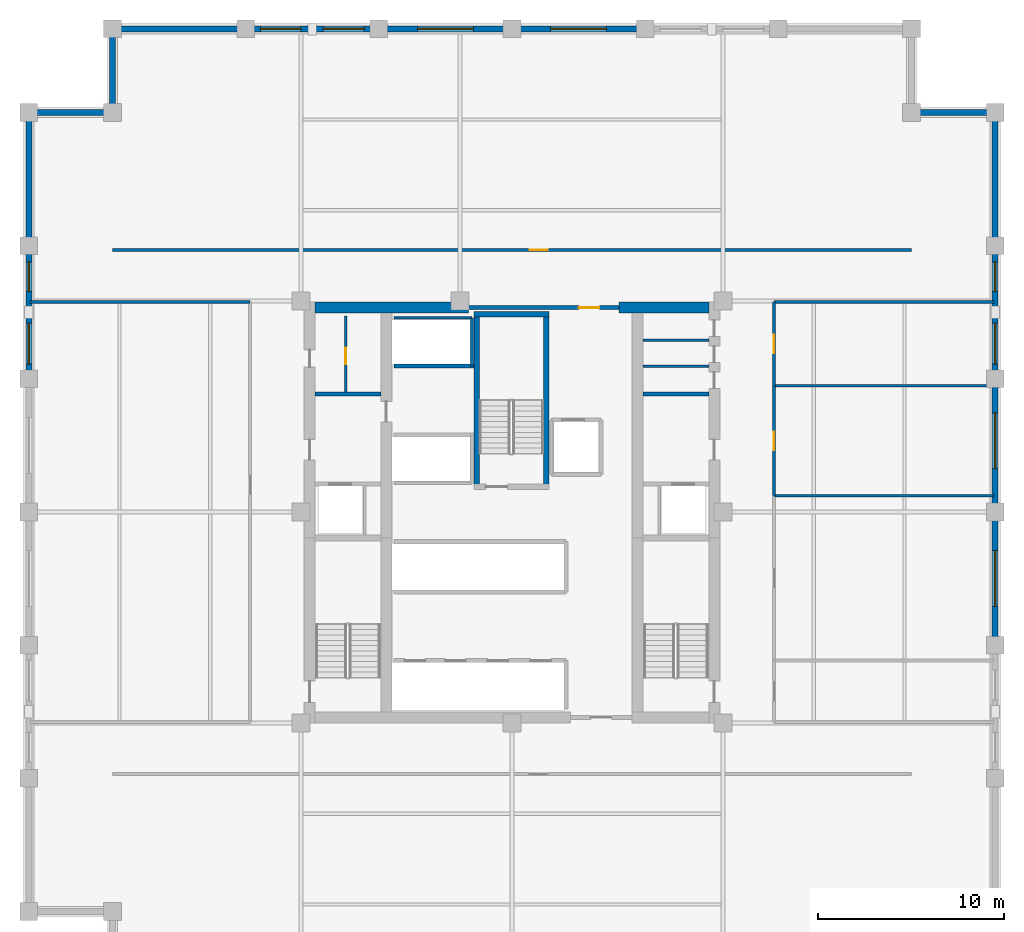
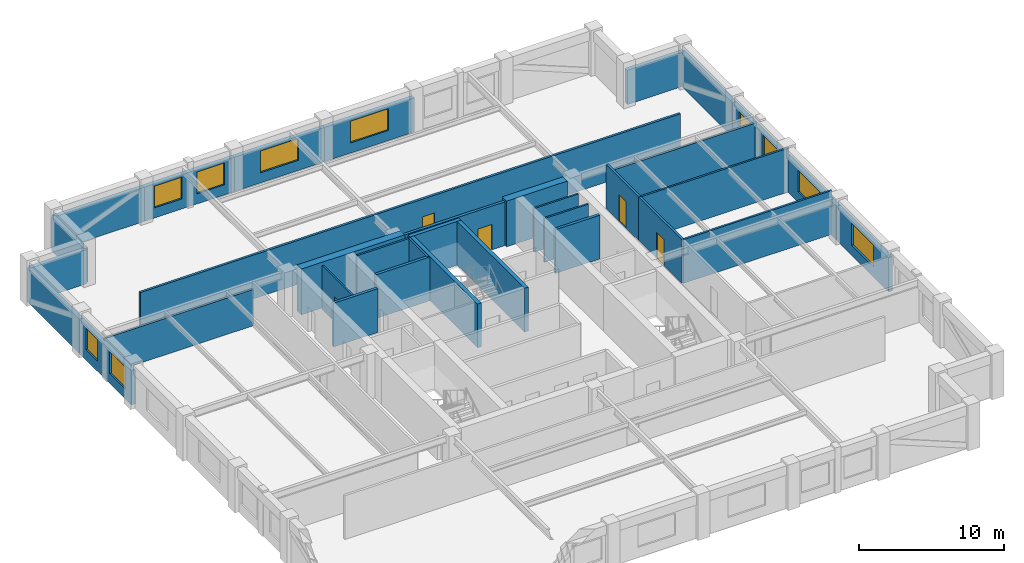
# One storey, part 4 of 6: 34 walls, 10 windows, 5 doors, 15 openings.
"""IFC4 building model written with IfcOpenShell, lengths in metres."""

from ifc_helpers import new_model, si_unit, direction, frame, frame_2d, origin, place, context, subcontext, project, spatial, rectangle, extrude, material, layer, layer_set, type_object, element, fill, save


model = new_model("IFC4")

# Units and contexts
model_context = context("Model", 3, precision=1e-05, world=origin(), true_north=direction((0.0, 1.0)))
body_context = subcontext(model_context, "Body", "Model", "MODEL_VIEW")
ifc_project = project(units=[si_unit("LENGTHUNIT", "METRE"), si_unit("AREAUNIT", "SQUARE_METRE"), si_unit("VOLUMEUNIT", "CUBIC_METRE"), si_unit("PLANEANGLEUNIT", "RADIAN"), si_unit("MASSUNIT", "GRAM", prefix="KILO")], contexts=[model_context])

# Site, building, storey
site_placement = place(None, origin())
site = spatial("IfcSite", under=ifc_project, at=site_placement, CompositionType="ELEMENT")
building_placement = place(site_placement, origin())
building = spatial("IfcBuilding", under=site, at=building_placement, Name="Nhamokura Convention Tower", CompositionType="ELEMENT")
storey_placement = place(building_placement, frame((0.0, 0.0, 152.949951171875)))
storey = spatial("IfcBuildingStorey", under=building, at=storey_placement, Name="L37", CompositionType="ELEMENT", Elevation=152.949951171875)

# Wall, opening, door
ifc_material_1 = material(Name="Moisture-resistant tile-backer partition", Category="masonry")
ifc_layer_1 = layer(ifc_material_1, 0.139892578125)
ifc_layer_set_1 = layer_set([ifc_layer_1], Name="BathroomWetWall_140")
wall_type_1 = type_object("IfcWallType", Name="BathroomWetWall_140", PredefinedType="STANDARD", material=ifc_layer_set_1)
wall_1_placement = place(storey_placement, frame((23.050048828125, 38.449951171875, 0.0), z_axis=(0.0, 0.0, 1.0), x_axis=(0.0, 1.0, 0.0)))
wall_1 = element("IfcWall", 1, at=wall_1_placement, inside=storey, type_object=wall_type_1, Name="L37 Wall INT-L37-CWNWV", PredefinedType="STANDARD", context=body_context, shape_type="SweptSolid", body=[
    extrude(rectangle(XDim=4.10009765625, YDim=0.139892578125, at=frame_2d((2.050048828125, 0.0))), origin(), (0.0, 0.0, 1.0), 3.68505859375),
])
opening_1_placement = place(wall_1_placement, frame((1.5, 0.0, 0.0)))
opening_1 = element("IfcOpeningElement", 2, at=opening_1_placement, cuts=wall_1, Name="Opening D-11", PredefinedType="OPENING", context=body_context, shape_type="SweptSolid", body=[
    extrude(rectangle(XDim=0.8798828125, YDim=2.10009765625, at=frame_2d((0.43994140625, 1.050048828125))), frame((0.0, 0.079833984375, 0.0), z_axis=(0.0, -1.0, 0.0), x_axis=(1.0, 0.0, 0.0)), (0.0, 0.0, 1.0), 0.159912109375),
])
ifc_material_2 = material(Name="Solid oak hardwood", Category="wood")
door_type_1 = type_object("IfcDoorType", Name="BathroomDoor_880", OperationType="NOTDEFINED", PredefinedType="DOOR", material=ifc_material_2)
door_1_placement = place(opening_1_placement, origin())
door_1 = element("IfcDoor", 3, at=door_1_placement, inside=storey, type_object=door_type_1, Name="L37 Inner Store Door", OperationType="SINGLE_SWING_LEFT", OverallHeight=2.10009765625, OverallWidth=0.8798828125, PredefinedType="DOOR", context=body_context, shape_type="SweptSolid", body=[
    extrude(rectangle(XDim=0.8798828125, YDim=2.10009765625, at=frame_2d((0.43994140625, 1.050048828125))), frame((0.0, 0.02490234375, 0.0), z_axis=(0.0, -1.0, 0.0), x_axis=(1.0, 0.0, 0.0)), (0.0, 0.0, 1.0), 0.050048828125),
])
fill(opening_1, door_1)

# Walls
for number, where, z_axis, x_axis, name in (
    (4, (39.06005859375, 39.85009765625, 0.0), (0.0, 0.0, 1.0), (1.0, 0.0, 0.0), "L37 Wall INT-L37-CWNE1"),
    (5, (39.06005859375, 41.25, 0.0), (0.0, 0.0, 1.0), (1.0, 0.0, 0.0), "L37 Wall INT-L37-CWNE2"),
):
    element("IfcWall", number, at=place(storey_placement, frame(where, z_axis=z_axis, x_axis=x_axis)), inside=storey, type_object=wall_type_1, Name=name, PredefinedType="STANDARD", context=body_context, shape_type="SweptSolid", body=[
        extrude(rectangle(XDim=3.530029296875, YDim=0.139892578125, at=frame_2d((1.76513671875, 0.0))), origin(), (0.0, 0.0, 1.0), 3.68505859375),
    ])
ifc_material_3 = material(Name="Bronze-pigmented precast concrete C45/55", Category="concrete")
ifc_layer_2 = layer(ifc_material_3, 0.320068359375)
ifc_layer_set_2 = layer_set([ifc_layer_2], Name="BronzePrecastSpandrel_320")
wall_type_2 = type_object("IfcWallType", Name="BronzePrecastSpandrel_320", PredefinedType="USERDEFINED", material=ifc_layer_set_2)
wall_2_placement = place(storey_placement, frame((10.5, 58.0, 0.0), z_axis=(0.0, 0.0, 1.0), x_axis=(1.0, 0.0, 0.0)))
element("IfcWall", 6, at=wall_2_placement, inside=storey, type_object=wall_type_2, Name="L37 Braced-Bay Precast Wall NORTH 0", ObjectType="SPANDREL_WALL", PredefinedType="USERDEFINED", context=body_context, shape_type="SweptSolid", body=[
    extrude(rectangle(XDim=7.166748046875, YDim=0.320068359375, at=frame_2d((3.58349609375, 0.0))), origin(), (0.0, 0.0, 1.0), 2.885009765625),
])

# Wall, openings, windows
wall_3_placement = place(storey_placement, frame((17.666748046875, 58.0, 0.0), z_axis=(0.0, 0.0, 1.0), x_axis=(1.0, 0.0, 0.0)))
wall_3 = element("IfcWall", 7, at=wall_3_placement, inside=storey, type_object=wall_type_2, Name="L37 Masonry-Frame Wall NORTH 1", ObjectType="SPANDREL_WALL", PredefinedType="USERDEFINED", context=body_context, shape_type="SweptSolid", body=[
    extrude(rectangle(XDim=7.16650390625, YDim=0.320068359375, at=frame_2d((3.583251953125, 0.0))), origin(), (0.0, 0.0, 1.0), 2.885009765625),
])
opening_2_placement = place(wall_3_placement, frame((0.791748046875, 0.0, 0.85009765625)))
opening_2 = element("IfcOpeningElement", 8, at=opening_2_placement, cuts=wall_3, Name="Opening W-06", PredefinedType="OPENING", context=body_context, shape_type="SweptSolid", body=[
    extrude(rectangle(XDim=2.199951171875, YDim=1.8349609375, at=frame_2d((1.10009765625, 0.91748046875))), frame((0.0, 0.169921875, 0.0), z_axis=(0.0, -1.0, 0.0), x_axis=(1.0, 0.0, 0.0)), (0.0, 0.0, 1.0), 0.340087890625),
])
opening_3_placement = place(wall_3_placement, frame((4.175048828125, 0.0, 0.85009765625)))
opening_3 = element("IfcOpeningElement", 9, at=opening_3_placement, cuts=wall_3, Name="Opening W-06", PredefinedType="OPENING", context=body_context, shape_type="SweptSolid", body=[
    extrude(rectangle(XDim=2.199951171875, YDim=1.8349609375, at=frame_2d((1.10009765625, 0.91748046875))), frame((0.0, 0.169921875, 0.0), z_axis=(0.0, -1.0, 0.0), x_axis=(1.0, 0.0, 0.0)), (0.0, 0.0, 1.0), 0.340087890625),
])
ifc_material_4 = material(Name="Solar-control bronze low-E double glass", Category="glass")
window_type_1 = type_object("IfcWindowType", Name="OfficeModuleWindow_Z2_2200", PartitioningType="SINGLE_PANEL", PredefinedType="WINDOW", material=ifc_material_4)
window_1_placement = place(opening_2_placement, origin())
window_1 = element("IfcWindow", 10, at=window_1_placement, inside=storey, type_object=window_type_1, Name="L37 Facade Window NORTH 1-1", OverallHeight=1.8349609375, OverallWidth=2.199951171875, PartitioningType="SINGLE_PANEL", PredefinedType="WINDOW", context=body_context, shape_type="SweptSolid", body=[
    extrude(rectangle(XDim=2.199951171875, YDim=1.8349609375, at=frame_2d((1.10009765625, 0.91748046875))), frame((0.0, 0.030029296875, 0.0), z_axis=(0.0, -1.0, 0.0), x_axis=(1.0, 0.0, 0.0)), (0.0, 0.0, 1.0), 0.06005859375),
])
fill(opening_2, window_1)
window_2_placement = place(opening_3_placement, origin())
window_2 = element("IfcWindow", 11, at=window_2_placement, inside=storey, type_object=window_type_1, Name="L37 Facade Window NORTH 1-2", OverallHeight=1.8349609375, OverallWidth=2.199951171875, PartitioningType="SINGLE_PANEL", PredefinedType="WINDOW", context=body_context, shape_type="SweptSolid", body=[
    extrude(rectangle(XDim=2.199951171875, YDim=1.8349609375, at=frame_2d((1.10009765625, 0.91748046875))), frame((0.0, 0.030029296875, 0.0), z_axis=(0.0, -1.0, 0.0), x_axis=(1.0, 0.0, 0.0)), (0.0, 0.0, 1.0), 0.06005859375),
])
fill(opening_3, window_2)

# Wall, opening, window
wall_4_placement = place(storey_placement, frame((24.833251953125, 58.0, 0.0), z_axis=(0.0, 0.0, 1.0), x_axis=(1.0, 0.0, 0.0)))
wall_4 = element("IfcWall", 12, at=wall_4_placement, inside=storey, type_object=wall_type_2, Name="L37 Masonry-Frame Wall NORTH 2", ObjectType="SPANDREL_WALL", PredefinedType="USERDEFINED", context=body_context, shape_type="SweptSolid", body=[
    extrude(rectangle(XDim=7.166748046875, YDim=0.320068359375, at=frame_2d((3.58349609375, 0.0))), origin(), (0.0, 0.0, 1.0), 2.885009765625),
])
opening_4_placement = place(wall_4_placement, frame((2.083251953125, 0.0, 0.85009765625)))
opening_4 = element("IfcOpeningElement", 13, at=opening_4_placement, cuts=wall_4, Name="Opening W-05", PredefinedType="OPENING", context=body_context, shape_type="SweptSolid", body=[
    extrude(rectangle(XDim=3.0, YDim=1.8349609375, at=frame_2d((1.5, 0.91748046875))), frame((0.0, 0.169921875, 0.0), z_axis=(0.0, -1.0, 0.0), x_axis=(1.0, 0.0, 0.0)), (0.0, 0.0, 1.0), 0.340087890625),
])
ifc_material_5 = material(Name="Solar-control bronze low-E double glass", Category="glass")
window_type_2 = type_object("IfcWindowType", Name="OfficeModuleWindow_Z2_3000", PartitioningType="DOUBLE_PANEL_VERTICAL", PredefinedType="WINDOW", material=ifc_material_5)
window_3_placement = place(opening_4_placement, origin())
window_3 = element("IfcWindow", 14, at=window_3_placement, inside=storey, type_object=window_type_2, Name="L37 Facade Window NORTH 2", OverallHeight=1.8349609375, OverallWidth=3.0, PartitioningType="SINGLE_PANEL", PredefinedType="WINDOW", context=body_context, shape_type="SweptSolid", body=[
    extrude(rectangle(XDim=3.0, YDim=1.8349609375, at=frame_2d((1.5, 0.91748046875))), frame((0.0, 0.030029296875, 0.0), z_axis=(0.0, -1.0, 0.0), x_axis=(1.0, 0.0, 0.0)), (0.0, 0.0, 1.0), 0.06005859375),
])
fill(opening_4, window_3)

wall_5_placement = place(storey_placement, frame((32.0, 58.0, 0.0), z_axis=(0.0, 0.0, 1.0), x_axis=(1.0, 0.0, 0.0)))
wall_5 = element("IfcWall", 15, at=wall_5_placement, inside=storey, type_object=wall_type_2, Name="L37 Masonry-Frame Wall NORTH 3", ObjectType="SPANDREL_WALL", PredefinedType="USERDEFINED", context=body_context, shape_type="SweptSolid", body=[
    extrude(rectangle(XDim=7.166748046875, YDim=0.320068359375, at=frame_2d((3.58349609375, 0.0))), origin(), (0.0, 0.0, 1.0), 2.885009765625),
])
opening_5_placement = place(wall_5_placement, frame((2.083251953125, 0.0, 0.85009765625)))
opening_5 = element("IfcOpeningElement", 16, at=opening_5_placement, cuts=wall_5, Name="Opening W-05", PredefinedType="OPENING", context=body_context, shape_type="SweptSolid", body=[
    extrude(rectangle(XDim=3.0, YDim=1.8349609375, at=frame_2d((1.5, 0.91748046875))), frame((0.0, 0.169921875, 0.0), z_axis=(0.0, -1.0, 0.0), x_axis=(1.0, 0.0, 0.0)), (0.0, 0.0, 1.0), 0.340087890625),
])
window_4_placement = place(opening_5_placement, origin())
window_4 = element("IfcWindow", 17, at=window_4_placement, inside=storey, type_object=window_type_2, Name="L37 Facade Window NORTH 3", OverallHeight=1.8349609375, OverallWidth=3.0, PartitioningType="SINGLE_PANEL", PredefinedType="WINDOW", context=body_context, shape_type="SweptSolid", body=[
    extrude(rectangle(XDim=3.0, YDim=1.8349609375, at=frame_2d((1.5, 0.91748046875))), frame((0.0, 0.030029296875, 0.0), z_axis=(0.0, -1.0, 0.0), x_axis=(1.0, 0.0, 0.0)), (0.0, 0.0, 1.0), 0.06005859375),
])
fill(opening_5, window_4)

# Wall, openings, windows
wall_6_placement = place(storey_placement, frame((6.0, 39.166748046875, 0.0), z_axis=(0.0, 0.0, 1.0), x_axis=(0.0, 1.0, 0.0)))
wall_6 = element("IfcWall", 18, at=wall_6_placement, inside=storey, type_object=wall_type_2, Name="L37 Masonry-Frame Wall WEST 4", ObjectType="SPANDREL_WALL", PredefinedType="USERDEFINED", context=body_context, shape_type="SweptSolid", body=[
    extrude(rectangle(XDim=7.16650390625, YDim=0.320068359375, at=frame_2d((3.583251953125, 0.0))), origin(), (0.0, 0.0, 1.0), 2.885009765625),
])
opening_6_placement = place(wall_6_placement, frame((0.791748046875, 0.0, 0.85009765625)))
opening_6 = element("IfcOpeningElement", 19, at=opening_6_placement, cuts=wall_6, Name="Opening W-06", PredefinedType="OPENING", context=body_context, shape_type="SweptSolid", body=[
    extrude(rectangle(XDim=2.199951171875, YDim=1.8349609375, at=frame_2d((1.10009765625, 0.91748046875))), frame((0.0, 0.169921875, 0.0), z_axis=(0.0, -1.0, 0.0), x_axis=(1.0, 0.0, 0.0)), (0.0, 0.0, 1.0), 0.340087890625),
])
opening_7_placement = place(wall_6_placement, frame((4.6875, 0.0, 0.85009765625)))
opening_7 = element("IfcOpeningElement", 20, at=opening_7_placement, cuts=wall_6, Name="Opening W-11", PredefinedType="OPENING", context=body_context, shape_type="SweptSolid", body=[
    extrude(rectangle(XDim=1.60009765625, YDim=1.8349609375, at=frame_2d((0.800048828125, 0.91748046875))), frame((0.0, 0.169921875, 0.0), z_axis=(0.0, -1.0, 0.0), x_axis=(1.0, 0.0, 0.0)), (0.0, 0.0, 1.0), 0.340087890625),
])
ifc_material_6 = material(Name="Solar-control bronze low-E double glass", Category="glass")
window_type_3 = type_object("IfcWindowType", Name="NotchCornerWindow_1600", PartitioningType="SINGLE_PANEL", PredefinedType="WINDOW", material=ifc_material_6)
window_5_placement = place(opening_7_placement, origin())
window_5 = element("IfcWindow", 21, at=window_5_placement, inside=storey, type_object=window_type_3, Name="L37 Facade Window WEST 4-2", OverallHeight=1.8349609375, OverallWidth=1.60009765625, PartitioningType="SINGLE_PANEL", PredefinedType="WINDOW", context=body_context, shape_type="SweptSolid", body=[
    extrude(rectangle(XDim=1.60009765625, YDim=1.8349609375, at=frame_2d((0.800048828125, 0.91748046875))), frame((0.0, 0.030029296875, 0.0), z_axis=(0.0, -1.0, 0.0), x_axis=(1.0, 0.0, 0.0)), (0.0, 0.0, 1.0), 0.06005859375),
])
fill(opening_7, window_5)
window_6_placement = place(opening_6_placement, origin())
window_6 = element("IfcWindow", 22, at=window_6_placement, inside=storey, type_object=window_type_1, Name="L37 Facade Window WEST 4-1", OverallHeight=1.8349609375, OverallWidth=2.199951171875, PartitioningType="SINGLE_PANEL", PredefinedType="WINDOW", context=body_context, shape_type="SweptSolid", body=[
    extrude(rectangle(XDim=2.199951171875, YDim=1.8349609375, at=frame_2d((1.10009765625, 0.91748046875))), frame((0.0, 0.030029296875, 0.0), z_axis=(0.0, -1.0, 0.0), x_axis=(1.0, 0.0, 0.0)), (0.0, 0.0, 1.0), 0.06005859375),
])
fill(opening_6, window_6)

# Wall
wall_7_placement = place(storey_placement, frame((6.0, 46.333251953125, 0.0), z_axis=(0.0, 0.0, 1.0), x_axis=(0.0, 1.0, 0.0)))
element("IfcWall", 23, at=wall_7_placement, inside=storey, type_object=wall_type_2, Name="L37 Braced-Bay Precast Wall WEST 5", ObjectType="SPANDREL_WALL", PredefinedType="USERDEFINED", context=body_context, shape_type="SweptSolid", body=[
    extrude(rectangle(XDim=7.166748046875, YDim=0.320068359375, at=frame_2d((3.58349609375, 0.0))), origin(), (0.0, 0.0, 1.0), 2.885009765625),
])

# Wall, opening, window
wall_8_placement = place(storey_placement, frame((58.0, 32.0, 0.0), z_axis=(0.0, 0.0, 1.0), x_axis=(0.0, -1.0, 0.0)))
wall_8 = element("IfcWall", 24, at=wall_8_placement, inside=storey, type_object=wall_type_2, Name="L37 Masonry-Frame Wall EAST 2", ObjectType="SPANDREL_WALL", PredefinedType="USERDEFINED", context=body_context, shape_type="SweptSolid", body=[
    extrude(rectangle(XDim=7.166748046875, YDim=0.320068359375, at=frame_2d((3.58349609375, 0.0))), origin(), (0.0, 0.0, 1.0), 2.885009765625),
])
opening_8_placement = place(wall_8_placement, frame((2.083251953125, 0.0, 0.85009765625)))
opening_8 = element("IfcOpeningElement", 25, at=opening_8_placement, cuts=wall_8, Name="Opening W-05", PredefinedType="OPENING", context=body_context, shape_type="SweptSolid", body=[
    extrude(rectangle(XDim=3.0, YDim=1.8349609375, at=frame_2d((1.5, 0.91748046875))), frame((0.0, 0.169921875, 0.0), z_axis=(0.0, -1.0, 0.0), x_axis=(1.0, 0.0, 0.0)), (0.0, 0.0, 1.0), 0.340087890625),
])
window_7_placement = place(opening_8_placement, origin())
window_7 = element("IfcWindow", 26, at=window_7_placement, inside=storey, type_object=window_type_2, Name="L37 Facade Window EAST 2", OverallHeight=1.8349609375, OverallWidth=3.0, PartitioningType="SINGLE_PANEL", PredefinedType="WINDOW", context=body_context, shape_type="SweptSolid", body=[
    extrude(rectangle(XDim=3.0, YDim=1.8349609375, at=frame_2d((1.5, 0.91748046875))), frame((0.0, 0.030029296875, 0.0), z_axis=(0.0, -1.0, 0.0), x_axis=(1.0, 0.0, 0.0)), (0.0, 0.0, 1.0), 0.06005859375),
])
fill(opening_8, window_7)

wall_9_placement = place(storey_placement, frame((58.0, 39.166748046875, 0.0), z_axis=(0.0, 0.0, 1.0), x_axis=(0.0, -1.0, 0.0)))
wall_9 = element("IfcWall", 27, at=wall_9_placement, inside=storey, type_object=wall_type_2, Name="L37 Masonry-Frame Wall EAST 3", ObjectType="SPANDREL_WALL", PredefinedType="USERDEFINED", context=body_context, shape_type="SweptSolid", body=[
    extrude(rectangle(XDim=7.166748046875, YDim=0.320068359375, at=frame_2d((3.58349609375, 0.0))), origin(), (0.0, 0.0, 1.0), 2.885009765625),
])
opening_9_placement = place(wall_9_placement, frame((1.833251953125, 0.0, 0.85009765625)))
opening_9 = element("IfcOpeningElement", 28, at=opening_9_placement, cuts=wall_9, Name="Opening W-05", PredefinedType="OPENING", context=body_context, shape_type="SweptSolid", body=[
    extrude(rectangle(XDim=3.0, YDim=1.8349609375, at=frame_2d((1.5, 0.91748046875))), frame((0.0, 0.169921875, 0.0), z_axis=(0.0, -1.0, 0.0), x_axis=(1.0, 0.0, 0.0)), (0.0, 0.0, 1.0), 0.340087890625),
])
window_8_placement = place(opening_9_placement, origin())
window_8 = element("IfcWindow", 29, at=window_8_placement, inside=storey, type_object=window_type_2, Name="L37 Facade Window EAST 3", OverallHeight=1.8349609375, OverallWidth=3.0, PartitioningType="SINGLE_PANEL", PredefinedType="WINDOW", context=body_context, shape_type="SweptSolid", body=[
    extrude(rectangle(XDim=3.0, YDim=1.8349609375, at=frame_2d((1.5, 0.91748046875))), frame((0.0, 0.030029296875, 0.0), z_axis=(0.0, -1.0, 0.0), x_axis=(1.0, 0.0, 0.0)), (0.0, 0.0, 1.0), 0.06005859375),
])
fill(opening_9, window_8)

# Wall, openings, windows
wall_10_placement = place(storey_placement, frame((58.0, 46.333251953125, 0.0), z_axis=(0.0, 0.0, 1.0), x_axis=(0.0, -1.0, 0.0)))
wall_10 = element("IfcWall", 30, at=wall_10_placement, inside=storey, type_object=wall_type_2, Name="L37 Masonry-Frame Wall EAST 4", ObjectType="SPANDREL_WALL", PredefinedType="USERDEFINED", context=body_context, shape_type="SweptSolid", body=[
    extrude(rectangle(XDim=7.16650390625, YDim=0.320068359375, at=frame_2d((3.583251953125, 0.0))), origin(), (0.0, 0.0, 1.0), 2.885009765625),
])
opening_10_placement = place(wall_10_placement, frame((0.879150390625, 0.0, 0.85009765625)))
opening_10 = element("IfcOpeningElement", 31, at=opening_10_placement, cuts=wall_10, Name="Opening W-11", PredefinedType="OPENING", context=body_context, shape_type="SweptSolid", body=[
    extrude(rectangle(XDim=1.60009765625, YDim=1.8349609375, at=frame_2d((0.800048828125, 0.91748046875))), frame((0.0, 0.169921875, 0.0), z_axis=(0.0, -1.0, 0.0), x_axis=(1.0, 0.0, 0.0)), (0.0, 0.0, 1.0), 0.340087890625),
])
opening_11_placement = place(wall_10_placement, frame((4.175048828125, 0.0, 0.85009765625)))
opening_11 = element("IfcOpeningElement", 32, at=opening_11_placement, cuts=wall_10, Name="Opening W-06", PredefinedType="OPENING", context=body_context, shape_type="SweptSolid", body=[
    extrude(rectangle(XDim=2.199951171875, YDim=1.8349609375, at=frame_2d((1.10009765625, 0.91748046875))), frame((0.0, 0.169921875, 0.0), z_axis=(0.0, -1.0, 0.0), x_axis=(1.0, 0.0, 0.0)), (0.0, 0.0, 1.0), 0.340087890625),
])
window_9_placement = place(opening_10_placement, origin())
window_9 = element("IfcWindow", 33, at=window_9_placement, inside=storey, type_object=window_type_3, Name="L37 Facade Window EAST 4-1", OverallHeight=1.8349609375, OverallWidth=1.60009765625, PartitioningType="SINGLE_PANEL", PredefinedType="WINDOW", context=body_context, shape_type="SweptSolid", body=[
    extrude(rectangle(XDim=1.60009765625, YDim=1.8349609375, at=frame_2d((0.800048828125, 0.91748046875))), frame((0.0, 0.030029296875, 0.0), z_axis=(0.0, -1.0, 0.0), x_axis=(1.0, 0.0, 0.0)), (0.0, 0.0, 1.0), 0.06005859375),
])
fill(opening_10, window_9)
window_10_placement = place(opening_11_placement, origin())
window_10 = element("IfcWindow", 34, at=window_10_placement, inside=storey, type_object=window_type_1, Name="L37 Facade Window EAST 4-2", OverallHeight=1.8349609375, OverallWidth=2.199951171875, PartitioningType="SINGLE_PANEL", PredefinedType="WINDOW", context=body_context, shape_type="SweptSolid", body=[
    extrude(rectangle(XDim=2.199951171875, YDim=1.8349609375, at=frame_2d((1.10009765625, 0.91748046875))), frame((0.0, 0.030029296875, 0.0), z_axis=(0.0, -1.0, 0.0), x_axis=(1.0, 0.0, 0.0)), (0.0, 0.0, 1.0), 0.06005859375),
])
fill(opening_11, window_10)

# Walls
wall_11_placement = place(storey_placement, frame((58.0, 53.5, 0.0), z_axis=(0.0, 0.0, 1.0), x_axis=(0.0, -1.0, 0.0)))
element("IfcWall", 35, at=wall_11_placement, inside=storey, type_object=wall_type_2, Name="L37 Braced-Bay Precast Wall EAST 5", ObjectType="SPANDREL_WALL", PredefinedType="USERDEFINED", context=body_context, shape_type="SweptSolid", body=[
    extrude(rectangle(XDim=7.166748046875, YDim=0.320068359375, at=frame_2d((3.58349609375, 0.0))), origin(), (0.0, 0.0, 1.0), 2.885009765625),
])
for number, where, z_axis, x_axis, name in (
    (36, (53.5, 53.5, 0.0), (0.0, 0.0, 1.0), (1.0, 0.0, 0.0), "L37 Notched Corner Wall NE1"),
    (37, (10.5, 53.5, 0.0), (0.0, 0.0, 1.0), (0.0, 1.0, 0.0), "L37 Notched Corner Wall NW1"),
    (38, (6.0, 53.5, 0.0), (0.0, 0.0, 1.0), (1.0, 0.0, 0.0), "L37 Notched Corner Wall NW2"),
):
    element("IfcWall", number, at=place(storey_placement, frame(where, z_axis=z_axis, x_axis=x_axis)), inside=storey, type_object=wall_type_2, Name=name, ObjectType="SPANDREL_WALL", PredefinedType="USERDEFINED", context=body_context, shape_type="SweptSolid", body=[
        extrude(rectangle(XDim=4.5, YDim=0.320068359375, at=frame_2d((2.25, 0.0))), origin(), (0.0, 0.0, 1.0), 2.885009765625),
    ])
ifc_material_7 = material(Name="Concrete C60/75", Category="concrete")
ifc_layer_3 = layer(ifc_material_7, 0.60009765625)
ifc_layer_set_3 = layer_set([ifc_layer_3], Name="CoreShearWall_600")
wall_type_3 = type_object("IfcWallType", Name="CoreShearWall_600", PredefinedType="SHEAR", material=ifc_layer_set_3)
wall_12_placement = place(storey_placement, frame((21.409912109375, 43.0, 0.0), z_axis=(0.0, 0.0, 1.0), x_axis=(1.0, 0.0, 0.0)))
element("IfcWall", 39, at=wall_12_placement, inside=storey, type_object=wall_type_3, Name="L37 Core Shear Wall CW-N1", PredefinedType="SHEAR", context=body_context, shape_type="SweptSolid", body=[
    extrude(rectangle(XDim=8.239990234375, YDim=0.60009765625, at=frame_2d((4.1201171875, 0.0))), origin(), (0.0, 0.0, 1.0), 3.85009765625),
])
wall_13_placement = place(storey_placement, frame((37.75, 43.0, 0.0), z_axis=(0.0, 0.0, 1.0), x_axis=(1.0, 0.0, 0.0)))
element("IfcWall", 40, at=wall_13_placement, inside=storey, type_object=wall_type_3, Name="L37 Core Shear Wall CW-N2", PredefinedType="SHEAR", context=body_context, shape_type="SweptSolid", body=[
    extrude(rectangle(XDim=4.840087890625, YDim=0.60009765625, at=frame_2d((2.419921875, 0.0))), origin(), (0.0, 0.0, 1.0), 3.85009765625),
])

# Wall, opening, door
ifc_material_8 = material(Name="Fire-rated gypsum and masonry partition", Category="masonry")
ifc_layer_4 = layer(ifc_material_8, 0.179931640625)
ifc_layer_set_4 = layer_set([ifc_layer_4], Name="CorridorRatedWall_180")
wall_type_4 = type_object("IfcWallType", Name="CorridorRatedWall_180", PredefinedType="STANDARD", material=ifc_layer_set_4)
wall_14_placement = place(storey_placement, frame((10.5, 46.10009765625, 0.0), z_axis=(0.0, 0.0, 1.0), x_axis=(1.0, 0.0, 0.0)))
wall_14 = element("IfcWall", 41, at=wall_14_placement, inside=storey, type_object=wall_type_4, Name="L37 Wall INT-L37-CW-N00", PredefinedType="STANDARD", context=body_context, shape_type="SweptSolid", body=[
    extrude(rectangle(XDim=43.0, YDim=0.179931640625, at=frame_2d((21.5, 0.0))), origin(), (0.0, 0.0, 1.0), 3.68505859375),
])
opening_12_placement = place(wall_14_placement, frame((22.449951171875, 0.0, 0.0)))
opening_12 = element("IfcOpeningElement", 42, at=opening_12_placement, cuts=wall_14, Name="Opening D-08", PredefinedType="OPENING", context=body_context, shape_type="SweptSolid", body=[
    extrude(rectangle(XDim=0.97998046875, YDim=2.199951171875, at=frame_2d((0.489990234375, 1.10009765625))), frame((0.0, 0.099853515625, 0.0), z_axis=(0.0, -1.0, 0.0), x_axis=(1.0, 0.0, 0.0)), (0.0, 0.0, 1.0), 0.199951171875),
])
ifc_material_9 = material(Name="Solid oak hardwood", Category="wood")
door_type_2 = type_object("IfcDoorType", Name="OfficeEntryDoor_980", OperationType="NOTDEFINED", PredefinedType="DOOR", material=ifc_material_9)
door_2_placement = place(opening_12_placement, origin())
door_2 = element("IfcDoor", 43, at=door_2_placement, inside=storey, type_object=door_type_2, Name="L37 Conference Hall N01 Door", OperationType="SINGLE_SWING_LEFT", OverallHeight=2.199951171875, OverallWidth=0.97998046875, PredefinedType="DOOR", context=body_context, shape_type="SweptSolid", body=[
    extrude(rectangle(XDim=0.97998046875, YDim=2.199951171875, at=frame_2d((0.489990234375, 1.10009765625))), frame((0.0, 0.02490234375, 0.0), z_axis=(0.0, -1.0, 0.0), x_axis=(1.0, 0.0, 0.0)), (0.0, 0.0, 1.0), 0.050048828125),
])
fill(opening_12, door_2)

wall_15_placement = place(storey_placement, frame((46.10009765625, 32.875, 0.0), z_axis=(0.0, 0.0, 1.0), x_axis=(0.0, 1.0, 0.0)))
wall_15 = element("IfcWall", 44, at=wall_15_placement, inside=storey, type_object=wall_type_4, Name="L37 Wall INT-L37-CW-E02", PredefinedType="STANDARD", context=body_context, shape_type="SweptSolid", body=[
    extrude(rectangle(XDim=5.916748046875, YDim=0.179931640625, at=frame_2d((2.95849609375, 0.0))), origin(), (0.0, 0.0, 1.0), 3.68505859375),
])
opening_13_placement = place(wall_15_placement, frame((2.458251953125, 0.0, 0.0)))
opening_13 = element("IfcOpeningElement", 45, at=opening_13_placement, cuts=wall_15, Name="Opening D-08", PredefinedType="OPENING", context=body_context, shape_type="SweptSolid", body=[
    extrude(rectangle(XDim=0.97998046875, YDim=2.199951171875, at=frame_2d((0.489990234375, 1.10009765625))), frame((0.0, 0.099853515625, 0.0), z_axis=(0.0, -1.0, 0.0), x_axis=(1.0, 0.0, 0.0)), (0.0, 0.0, 1.0), 0.199951171875),
])
door_3_placement = place(opening_13_placement, origin())
door_3 = element("IfcDoor", 46, at=door_3_placement, inside=storey, type_object=door_type_2, Name="L37 Meeting Room E03 Door", OperationType="SINGLE_SWING_LEFT", OverallHeight=2.199951171875, OverallWidth=0.97998046875, PredefinedType="DOOR", context=body_context, shape_type="SweptSolid", body=[
    extrude(rectangle(XDim=0.97998046875, YDim=2.199951171875, at=frame_2d((0.489990234375, 1.10009765625))), frame((0.0, 0.02490234375, 0.0), z_axis=(0.0, -1.0, 0.0), x_axis=(1.0, 0.0, 0.0)), (0.0, 0.0, 1.0), 0.050048828125),
])
fill(opening_13, door_3)

wall_16_placement = place(storey_placement, frame((46.10009765625, 38.791748046875, 0.0), z_axis=(0.0, 0.0, 1.0), x_axis=(0.0, 1.0, 0.0)))
wall_16 = element("IfcWall", 47, at=wall_16_placement, inside=storey, type_object=wall_type_4, Name="L37 Wall INT-L37-CW-E03", PredefinedType="STANDARD", context=body_context, shape_type="SweptSolid", body=[
    extrude(rectangle(XDim=4.50830078125, YDim=0.179931640625, at=frame_2d((2.254150390625, 0.0))), origin(), (0.0, 0.0, 1.0), 3.68505859375),
])
opening_14_placement = place(wall_16_placement, frame((1.754150390625, 0.0, 0.0)))
opening_14 = element("IfcOpeningElement", 48, at=opening_14_placement, cuts=wall_16, Name="Opening D-08", PredefinedType="OPENING", context=body_context, shape_type="SweptSolid", body=[
    extrude(rectangle(XDim=0.97998046875, YDim=2.199951171875, at=frame_2d((0.489990234375, 1.10009765625))), frame((0.0, 0.099853515625, 0.0), z_axis=(0.0, -1.0, 0.0), x_axis=(1.0, 0.0, 0.0)), (0.0, 0.0, 1.0), 0.199951171875),
])
door_4_placement = place(opening_14_placement, origin())
door_4 = element("IfcDoor", 49, at=door_4_placement, inside=storey, type_object=door_type_2, Name="L37 Private Office E04 Door", OperationType="SINGLE_SWING_RIGHT", OverallHeight=2.199951171875, OverallWidth=0.97998046875, PredefinedType="DOOR", context=body_context, shape_type="SweptSolid", body=[
    extrude(rectangle(XDim=0.97998046875, YDim=2.199951171875, at=frame_2d((0.489990234375, 1.10009765625))), frame((0.0, 0.02490234375, 0.0), z_axis=(0.0, -1.0, 0.0), x_axis=(1.0, 0.0, 0.0)), (0.0, 0.0, 1.0), 0.050048828125),
])
fill(opening_14, door_4)

# Walls
ifc_material_10 = material(Name="Autoclaved concrete blockwork", Category="masonry")
ifc_layer_5 = layer(ifc_material_10, 0.219970703125)
ifc_layer_set_5 = layer_set([ifc_layer_5], Name="FireLobbyWall_220")
wall_type_5 = type_object("IfcWallType", Name="FireLobbyWall_220", PredefinedType="STANDARD", material=ifc_layer_set_5)
for number, where, z_axis, x_axis, name in (
    (50, (21.409912109375, 38.35009765625, 0.0), (0.0, 0.0, 1.0), (1.0, 0.0, 0.0), "L37 Wall INT-L37-FFW-N"),
    (51, (39.06005859375, 38.35009765625, 0.0), (0.0, 0.0, 1.0), (1.0, 0.0, 0.0), "L37 Wall INT-L37-FFE-N"),
):
    element("IfcWall", number, at=place(storey_placement, frame(where, z_axis=z_axis, x_axis=x_axis)), inside=storey, type_object=wall_type_5, Name=name, PredefinedType="STANDARD", context=body_context, shape_type="SweptSolid", body=[
        extrude(rectangle(XDim=3.530029296875, YDim=0.219970703125, at=frame_2d((1.76513671875, 0.0))), origin(), (0.0, 0.0, 1.0), 3.68505859375),
    ])
wall_17_placement = place(storey_placement, frame((25.64990234375, 39.85009765625, 0.0), z_axis=(0.0, 0.0, 1.0), x_axis=(1.0, 0.0, 0.0)))
element("IfcWall", 52, at=wall_17_placement, inside=storey, type_object=wall_type_5, Name="L37 Wall INT-L37-B3N", PredefinedType="STANDARD", context=body_context, shape_type="SweptSolid", body=[
    extrude(rectangle(XDim=4.300048828125, YDim=0.219970703125, at=frame_2d((2.14990234375, 0.0))), origin(), (0.0, 0.0, 1.0), 3.68505859375),
])

# Wall, opening, door
wall_18_placement = place(storey_placement, frame((29.64990234375, 43.0, 0.0), z_axis=(0.0, 0.0, 1.0), x_axis=(1.0, 0.0, 0.0)))
wall_18 = element("IfcWall", 53, at=wall_18_placement, inside=storey, type_object=wall_type_5, Name="L37 Wall INT-L37-CPORT-N", PredefinedType="STANDARD", context=body_context, shape_type="SweptSolid", body=[
    extrude(rectangle(XDim=8.10009765625, YDim=0.219970703125, at=frame_2d((4.050048828125, 0.0))), origin(), (0.0, 0.0, 1.0), 3.68505859375),
])
opening_15_placement = place(wall_18_placement, frame((5.949951171875, 0.0, 0.0)))
opening_15 = element("IfcOpeningElement", 54, at=opening_15_placement, cuts=wall_18, Name="Opening D-05", PredefinedType="OPENING", context=body_context, shape_type="SweptSolid", body=[
    extrude(rectangle(XDim=1.10009765625, YDim=2.14990234375, at=frame_2d((0.550048828125, 1.074951171875))), frame((0.0, 0.119873046875, 0.0), z_axis=(0.0, -1.0, 0.0), x_axis=(1.0, 0.0, 0.0)), (0.0, 0.0, 1.0), 0.239990234375),
])
ifc_material_11 = material(Name="Fire-rated steel door", Category="steel")
door_type_3 = type_object("IfcDoorType", Name="FireLobbyDoor_1100", OperationType="NOTDEFINED", PredefinedType="DOOR", material=ifc_material_11)
door_5_placement = place(opening_15_placement, origin())
door_5 = element("IfcDoor", 55, at=door_5_placement, inside=storey, type_object=door_type_3, Name="L37 North Core Lobby Portal Door", OperationType="SINGLE_SWING_RIGHT", OverallHeight=2.14990234375, OverallWidth=1.10009765625, PredefinedType="DOOR", context=body_context, shape_type="SweptSolid", body=[
    extrude(rectangle(XDim=1.10009765625, YDim=2.14990234375, at=frame_2d((0.550048828125, 1.074951171875))), frame((0.0, 0.02490234375, 0.0), z_axis=(0.0, -1.0, 0.0), x_axis=(1.0, 0.0, 0.0)), (0.0, 0.0, 1.0), 0.050048828125),
])
fill(opening_15, door_5)

# Walls
ifc_material_12 = material(Name="Acoustic gypsum stud partition", Category="masonry")
ifc_layer_6 = layer(ifc_material_12, 0.14990234375)
ifc_layer_set_6 = layer_set([ifc_layer_6], Name="InteriorPartition_150")
wall_type_6 = type_object("IfcWallType", Name="InteriorPartition_150", PredefinedType="STANDARD", material=ifc_layer_set_6)
wall_19_placement = place(storey_placement, frame((25.64990234375, 42.449951171875, 0.0), z_axis=(0.0, 0.0, 1.0), x_axis=(1.0, 0.0, 0.0)))
element("IfcWall", 56, at=wall_19_placement, inside=storey, type_object=wall_type_6, Name="L37 Wall INT-L37-B3B-N", PredefinedType="STANDARD", context=body_context, shape_type="SweptSolid", body=[
    extrude(rectangle(XDim=4.2001953125, YDim=0.14990234375, at=frame_2d((2.10009765625, 0.0))), origin(), (0.0, 0.0, 1.0), 3.68505859375),
])
wall_20_placement = place(storey_placement, frame((29.85009765625, 39.85009765625, 0.0), z_axis=(0.0, 0.0, 1.0), x_axis=(0.0, 1.0, 0.0)))
element("IfcWall", 57, at=wall_20_placement, inside=storey, type_object=wall_type_6, Name="L37 Wall INT-L37-B3B-E", PredefinedType="STANDARD", context=body_context, shape_type="SweptSolid", body=[
    extrude(rectangle(XDim=2.599853515625, YDim=0.14990234375, at=frame_2d((1.2998046875, 0.0))), origin(), (0.0, 0.0, 1.0), 3.68505859375),
])
for number, where, z_axis, x_axis, name in (
    (58, (6.06005859375, 43.300048828125, 0.0), (0.0, 0.0, 1.0), (1.0, 0.0, 0.0), "L37 Wall INT-L37-RWT-W"),
    (59, (46.10009765625, 43.300048828125, 0.0), (0.0, 0.0, 1.0), (1.0, 0.0, 0.0), "L37 Wall INT-L37-RWT-E"),
):
    element("IfcWall", number, at=place(storey_placement, frame(where, z_axis=z_axis, x_axis=x_axis)), inside=storey, type_object=wall_type_6, Name=name, PredefinedType="STANDARD", context=body_context, shape_type="SweptSolid", body=[
        extrude(rectangle(XDim=11.83984375, YDim=0.14990234375, at=frame_2d((5.919921875, 0.0))), origin(), (0.0, 0.0, 1.0), 3.06494140625),
    ])
for number, where, z_axis, x_axis, name in (
    (60, (46.10009765625, 32.875, 0.0), (0.0, 0.0, 1.0), (1.0, 0.0, 0.0), "L37 Wall INT-L37-RW-E02"),
    (61, (46.10009765625, 38.791748046875, 0.0), (0.0, 0.0, 1.0), (1.0, 0.0, 0.0), "L37 Wall INT-L37-RW-E03"),
):
    element("IfcWall", number, at=place(storey_placement, frame(where, z_axis=z_axis, x_axis=x_axis)), inside=storey, type_object=wall_type_6, Name=name, PredefinedType="STANDARD", context=body_context, shape_type="SweptSolid", body=[
        extrude(rectangle(XDim=11.83984375, YDim=0.14990234375, at=frame_2d((5.919921875, 0.0))), origin(), (0.0, 0.0, 1.0), 3.68505859375),
    ])
ifc_material_13 = material(Name="Concrete C50/60", Category="concrete")
ifc_layer_7 = layer(ifc_material_13, 0.300048828125)
ifc_layer_set_7 = layer_set([ifc_layer_7], Name="ShaftEnclosureWall_300")
wall_type_7 = type_object("IfcWallType", Name="ShaftEnclosureWall_300", PredefinedType="SHEAR", material=ifc_layer_set_7)
for number, where, z_axis, x_axis, name in (
    (62, (30.10009765625, 33.199951171875, 0.0), (0.0, 0.0, 1.0), (0.0, 1.0, 0.0), "L37 Wall INT-L37-ST03W"),
    (63, (33.85009765625, 33.199951171875, 0.0), (0.0, 0.0, 1.0), (0.0, 1.0, 0.0), "L37 Wall INT-L37-ST03E"),
):
    element("IfcWall", number, at=place(storey_placement, frame(where, z_axis=z_axis, x_axis=x_axis)), inside=storey, type_object=wall_type_7, Name=name, PredefinedType="SHEAR", context=body_context, shape_type="SweptSolid", body=[
        extrude(rectangle(XDim=9.60009765625, YDim=0.300048828125, at=frame_2d((4.800048828125, 0.0))), origin(), (0.0, 0.0, 1.0), 3.68505859375),
    ])
wall_21_placement = place(storey_placement, frame((29.949951171875, 42.64990234375, 0.0), z_axis=(0.0, 0.0, 1.0), x_axis=(1.0, 0.0, 0.0)))
element("IfcWall", 64, at=wall_21_placement, inside=storey, type_object=wall_type_7, Name="L37 Wall INT-L37-ST03N", PredefinedType="SHEAR", context=body_context, shape_type="SweptSolid", body=[
    extrude(rectangle(XDim=4.050048828125, YDim=0.300048828125, at=frame_2d((2.02490234375, 0.0))), origin(), (0.0, 0.0, 1.0), 3.68505859375),
])

save(model, "model.ifc")
